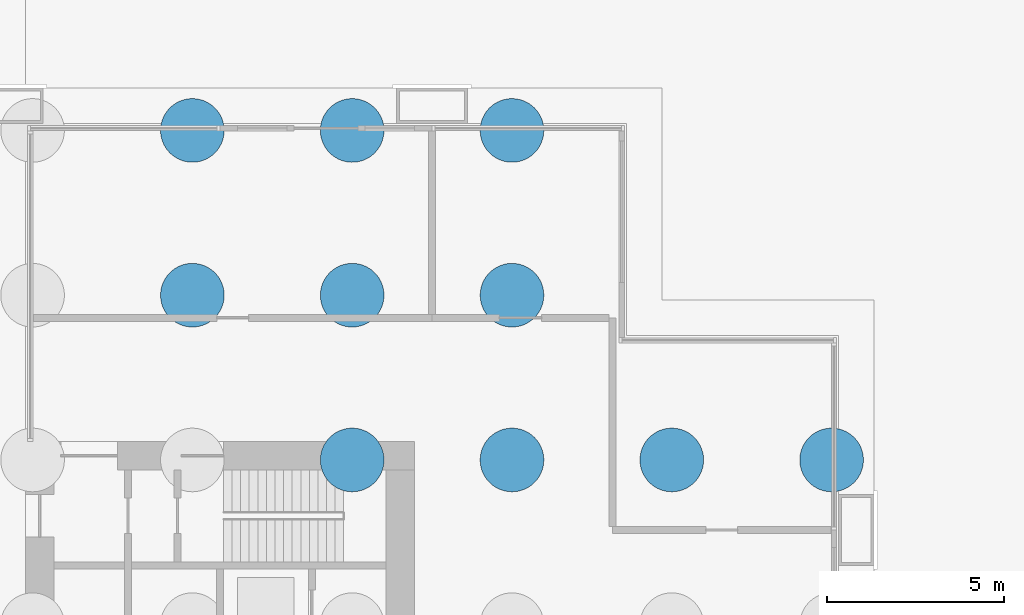
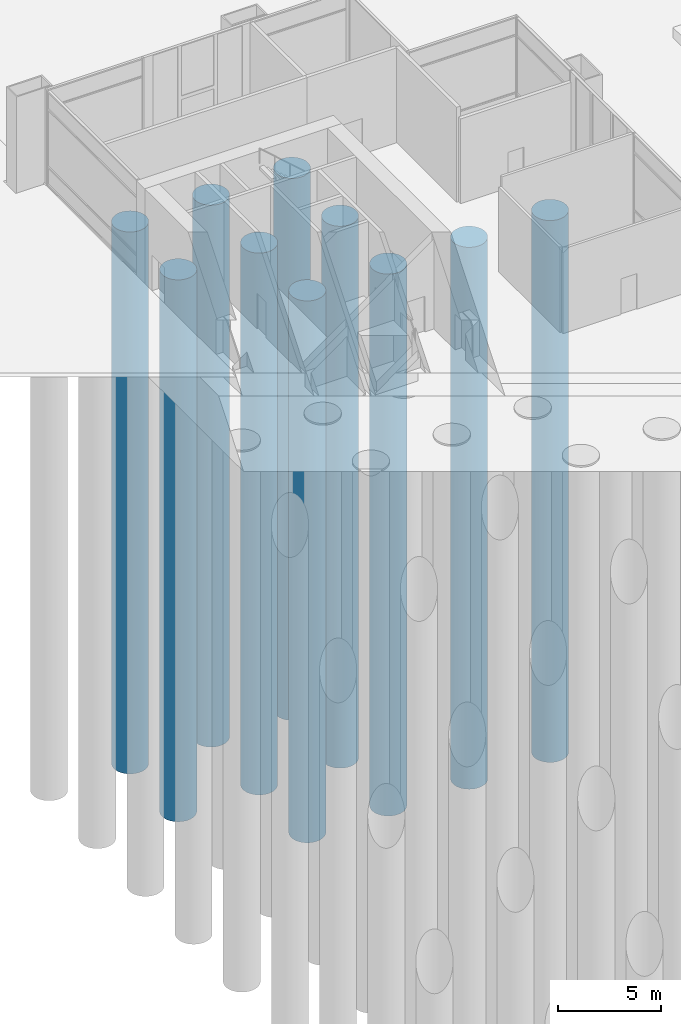
# One storey, part 2 of 29: 10 piles.
"""IFC4 building model written with IfcOpenShell, lengths in metres."""

from ifc_helpers import new_model, si_unit, direction, frame, origin, origin_2d, place, context, subcontext, project, spatial, circle, extrude, material, material_profile, profile_set, type_object, element, save


model = new_model("IFC4")

# Units and contexts
model_context = context("Model", 3, precision=1e-05, world=origin(), true_north=direction((0.0, 1.0)))
body_context = subcontext(model_context, "Body", "Model", "MODEL_VIEW")
ifc_project = project(units=[si_unit("LENGTHUNIT", "METRE"), si_unit("AREAUNIT", "SQUARE_METRE"), si_unit("VOLUMEUNIT", "CUBIC_METRE"), si_unit("PLANEANGLEUNIT", "RADIAN"), si_unit("MASSUNIT", "GRAM", prefix="KILO")], contexts=[model_context])

# Site, building, storey
site_placement = place(None, origin())
site = spatial("IfcSite", under=ifc_project, at=site_placement, CompositionType="ELEMENT")
building_placement = place(site_placement, origin())
building = spatial("IfcBuilding", under=site, at=building_placement, Name="Kitamizu Gate Tower and Museum", CompositionType="ELEMENT")
storey_placement = place(building_placement, origin())
storey = spatial("IfcBuildingStorey", under=building, at=storey_placement, Name="L00", CompositionType="ELEMENT", Elevation=0.0)

# Piles
ifc_material = material(Name="Concrete Fc42", Category="concrete")
ifc_material_profile = material_profile(ifc_material, circle(Radius=0.89990234375, at=origin_2d()), Name="Bored pile D1800")
ifc_profile_set = profile_set([ifc_material_profile], Name="Concrete Fc42")
pile_type = type_object("IfcPileType", Name="Bored pile D1800", PredefinedType="BORED", material=ifc_profile_set)
for number, where, z_axis, x_axis, name in (
    (1, (53.219970703125, 42.639892578125, -3.800048828125), (0.0, 0.0, -1.0), (1.0, 0.0, 0.0), "Bored pile E01-09"),
    (2, (53.219970703125, 47.300048828125, -3.800048828125), (0.0, 0.0, -1.0), (1.0, 0.0, 0.0), "Bored pile E01-10"),
    (3, (57.739990234375, 37.97998046875, -3.800048828125), (0.0, 0.0, -1.0), (1.0, 0.0, 0.0), "Bored pile E02-08"),
    (4, (57.739990234375, 42.639892578125, -3.800048828125), (0.0, 0.0, -1.0), (1.0, 0.0, 0.0), "Bored pile E02-09"),
    (5, (57.739990234375, 47.300048828125, -3.800048828125), (0.0, 0.0, -1.0), (1.0, 0.0, 0.0), "Bored pile E02-10"),
    (6, (62.260009765625, 37.97998046875, -3.800048828125), (0.0, 0.0, -1.0), (1.0, 0.0, 0.0), "Bored pile E03-08"),
    (7, (62.260009765625, 42.639892578125, -3.800048828125), (0.0, 0.0, -1.0), (1.0, 0.0, 0.0), "Bored pile E03-09"),
    (8, (62.260009765625, 47.300048828125, -3.800048828125), (0.0, 0.0, -1.0), (1.0, 0.0, 0.0), "Bored pile E03-10"),
    (9, (66.780029296875, 37.97998046875, -3.800048828125), (0.0, 0.0, -1.0), (1.0, 0.0, 0.0), "Bored pile E04-08"),
    (10, (71.300048828125, 37.97998046875, -3.800048828125), (0.0, 0.0, -1.0), (1.0, 0.0, 0.0), "Bored pile E05-08"),
):
    element("IfcPile", number, at=place(storey_placement, frame(where, z_axis=z_axis, x_axis=x_axis)), inside=storey, type_object=pile_type, Name=name, PredefinedType="BORED", context=body_context, shape_type="SweptSolid", body=[
        extrude(circle(Radius=0.89990234375, at=origin_2d()), origin(), (0.0, 0.0, 1.0), 32.0),
    ])

save(model, "model.ifc")
